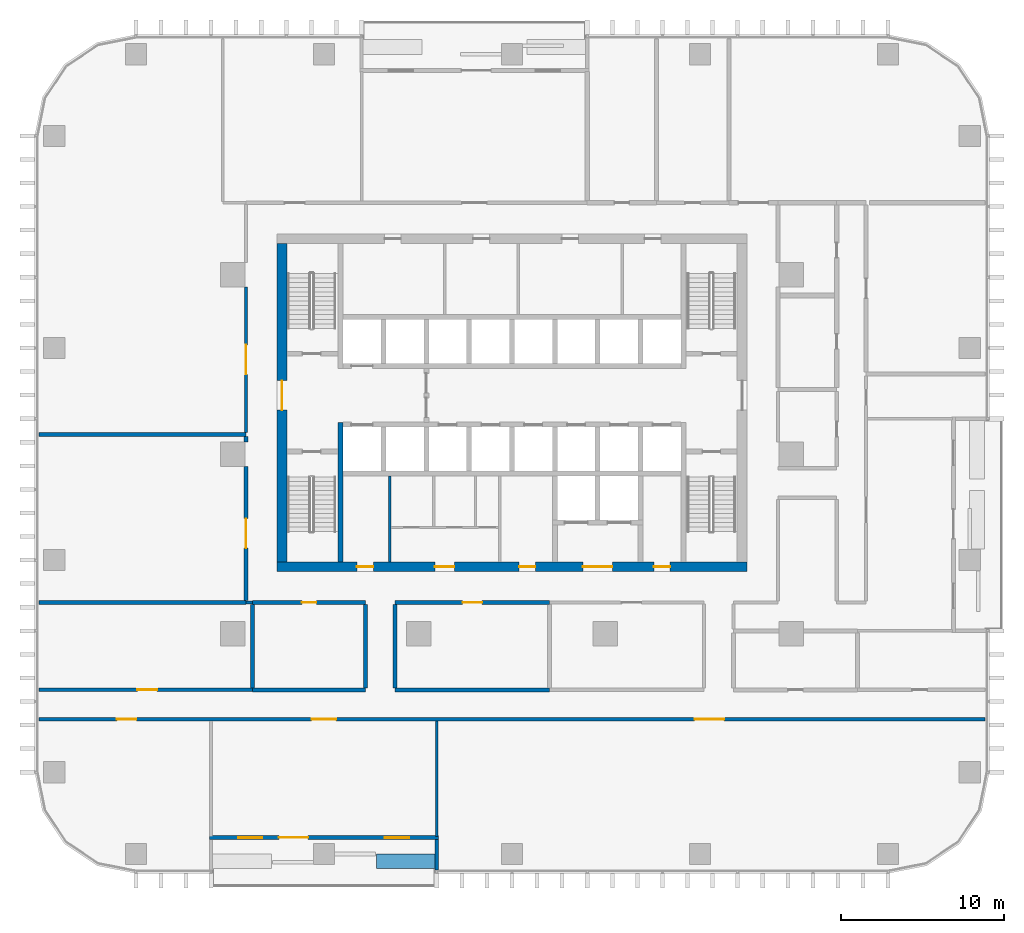
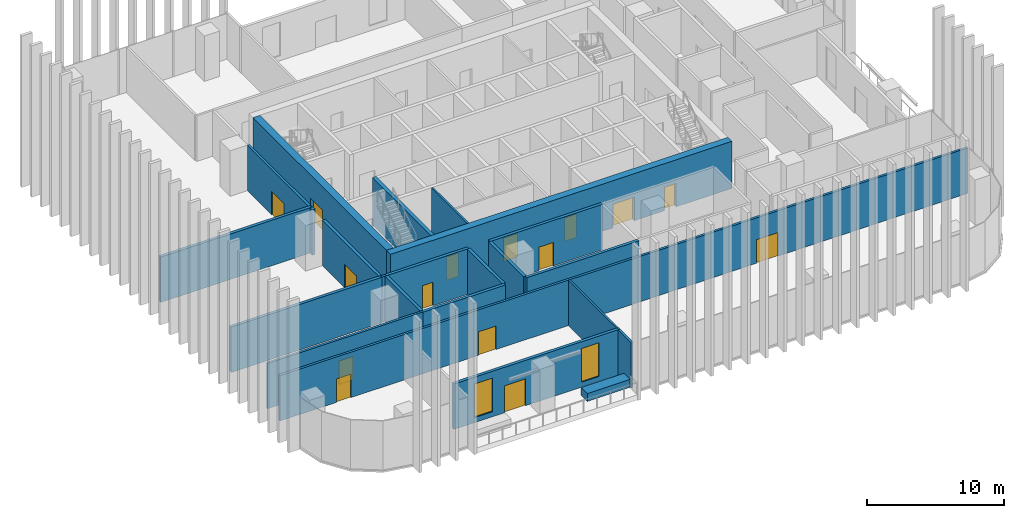
# One storey, part 7 of 17: 23 walls, 15 doors, 2 windows, 17 openings.
"""IFC4 building model written with IfcOpenShell, lengths in metres."""

from ifc_helpers import new_model, si_unit, direction, frame, frame_2d, origin, place, context, subcontext, project, spatial, rectangle, extrude, material, layer, layer_set, type_object, element, fill, save


model = new_model("IFC4")

# Units and contexts
model_context = context("Model", 3, precision=1e-05, world=origin(), true_north=direction((0.0, 1.0)))
body_context = subcontext(model_context, "Body", "Model", "MODEL_VIEW")
ifc_project = project(units=[si_unit("LENGTHUNIT", "METRE"), si_unit("AREAUNIT", "SQUARE_METRE"), si_unit("VOLUMEUNIT", "CUBIC_METRE"), si_unit("PLANEANGLEUNIT", "RADIAN"), si_unit("MASSUNIT", "GRAM", prefix="KILO")], contexts=[model_context])

# Site, building, storey
site_placement = place(None, origin())
site = spatial("IfcSite", under=ifc_project, at=site_placement, CompositionType="ELEMENT")
building_placement = place(site_placement, origin())
building = spatial("IfcBuilding", under=site, at=building_placement, Name="Mopane Tessera Tower", CompositionType="ELEMENT")
storey_placement = place(building_placement, frame((0.0, 0.0, 121.60009765625)))
storey = spatial("IfcBuildingStorey", under=building, at=storey_placement, Name="L24", CompositionType="ELEMENT", Elevation=121.60009765625)

# Wall
ifc_material_1 = material(Name="Fire-rated gypsum board partition")
ifc_layer_1 = layer(ifc_material_1, 0.14990234375)
ifc_layer_set_1 = layer_set([ifc_layer_1], Name="Fire-rated gypsum board partition")
wall_type_1 = type_object("IfcWallType", Name="Core room partition 150 mm", PredefinedType="PARTITIONING", material=ifc_layer_set_1)
wall_1_placement = place(storey_placement, frame((-7.5, -6.60009765625, 0.0), z_axis=(0.0, 0.0, 1.0), x_axis=(0.0, 1.0, 0.0)))
element("IfcWall", 1, at=wall_1_placement, inside=storey, type_object=wall_type_1, Name="L24 Room partition", PredefinedType="PARTITIONING", context=body_context, shape_type="SweptSolid", body=[
    extrude(rectangle(XDim=5.25, YDim=0.14990234375, at=frame_2d((2.625, 0.0))), origin(), (0.0, 0.0, 1.0), 4.199951171875),
])

# Wall, openings, doors
ifc_material_2 = material(Name="Concrete C70/85", Category="concrete")
ifc_layer_2 = layer(ifc_material_2, 0.60009765625)
ifc_layer_set_2 = layer_set([ifc_layer_2], Name="Concrete C70/85")
wall_type_2 = type_object("IfcWallType", Name="Core shear wall 600 mm", PredefinedType="SHEAR", material=ifc_layer_set_2)
wall_2_placement = place(storey_placement, frame((-14.39990234375, -6.89990234375, 0.0), z_axis=(0.0, 0.0, 1.0), x_axis=(1.0, 0.0, 0.0)))
wall_2 = element("IfcWall", 2, at=wall_2_placement, inside=storey, type_object=wall_type_2, Name="L24 Core wall south", PredefinedType="SHEAR", context=body_context, shape_type="SweptSolid", body=[
    extrude(rectangle(XDim=28.7998046875, YDim=0.60009765625, at=frame_2d((14.39990234375, 0.0))), origin(), (0.0, 0.0, 1.0), 4.199951171875),
])
opening_1_placement = place(wall_2_placement, frame((4.89990234375, 0.0, 0.0)))
opening_1 = element("IfcOpeningElement", 3, at=opening_1_placement, cuts=wall_2, Name="Opening RD1", PredefinedType="OPENING", context=body_context, shape_type="SweptSolid", body=[
    extrude(rectangle(XDim=1.0, YDim=2.10009765625, at=frame_2d((0.5, 1.050048828125))), frame((0.0, 0.31201171875, 0.0), z_axis=(0.0, -1.0, 0.0), x_axis=(1.0, 0.0, 0.0)), (0.0, 0.0, 1.0), 0.6240234375),
])
opening_2_placement = place(wall_2_placement, frame((9.675048828125, 0.0, 0.0)))
opening_2 = element("IfcOpeningElement", 4, at=opening_2_placement, cuts=wall_2, Name="Opening WD3", PredefinedType="OPENING", context=body_context, shape_type="SweptSolid", body=[
    extrude(rectangle(XDim=1.199951171875, YDim=2.10009765625, at=frame_2d((0.60009765625, 1.050048828125))), frame((0.0, 0.31201171875, 0.0), z_axis=(0.0, -1.0, 0.0), x_axis=(1.0, 0.0, 0.0)), (0.0, 0.0, 1.0), 0.6240234375),
])
opening_3_placement = place(wall_2_placement, frame((14.83740234375, 0.0, 0.0)))
opening_3 = element("IfcOpeningElement", 5, at=opening_3_placement, cuts=wall_2, Name="Opening RD1", PredefinedType="OPENING", context=body_context, shape_type="SweptSolid", body=[
    extrude(rectangle(XDim=1.0, YDim=2.10009765625, at=frame_2d((0.5, 1.050048828125))), frame((0.0, 0.31201171875, 0.0), z_axis=(0.0, -1.0, 0.0), x_axis=(1.0, 0.0, 0.0)), (0.0, 0.0, 1.0), 0.6240234375),
])
opening_4_placement = place(wall_2_placement, frame((18.75, 0.0, 0.0)))
opening_4 = element("IfcOpeningElement", 6, at=opening_4_placement, cuts=wall_2, Name="Opening SD2", PredefinedType="OPENING", context=body_context, shape_type="SweptSolid", body=[
    extrude(rectangle(XDim=1.800048828125, YDim=2.10009765625, at=frame_2d((0.89990234375, 1.050048828125))), frame((0.0, 0.31201171875, 0.0), z_axis=(0.0, -1.0, 0.0), x_axis=(1.0, 0.0, 0.0)), (0.0, 0.0, 1.0), 0.6240234375),
])
opening_5_placement = place(wall_2_placement, frame((23.08740234375, 0.0, 0.0)))
opening_5 = element("IfcOpeningElement", 7, at=opening_5_placement, cuts=wall_2, Name="Opening RD1", PredefinedType="OPENING", context=body_context, shape_type="SweptSolid", body=[
    extrude(rectangle(XDim=1.0, YDim=2.10009765625, at=frame_2d((0.5, 1.050048828125))), frame((0.0, 0.31201171875, 0.0), z_axis=(0.0, -1.0, 0.0), x_axis=(1.0, 0.0, 0.0)), (0.0, 0.0, 1.0), 0.6240234375),
])
ifc_material_3 = material(Name="Steel fire door", Category="steel")
door_type_1 = type_object("IfcDoorType", Name="Core entrance double door 1800 x 2100", OperationType="DOUBLE_DOOR_SINGLE_SWING", PredefinedType="DOOR", material=ifc_material_3)
door_1_placement = place(opening_4_placement, origin())
door_1 = element("IfcDoor", 8, at=door_1_placement, inside=storey, type_object=door_type_1, Name="L24 Service lobby door", OperationType="DOUBLE_DOOR_SINGLE_SWING", OverallHeight=2.10009765625, OverallWidth=1.800048828125, PredefinedType="DOOR", context=body_context, shape_type="SweptSolid", body=[
    extrude(rectangle(XDim=1.800048828125, YDim=2.10009765625, at=frame_2d((0.89990234375, 1.050048828125))), frame((0.0, 0.02490234375, 0.0), z_axis=(0.0, -1.0, 0.0), x_axis=(1.0, 0.0, 0.0)), (0.0, 0.0, 1.0), 0.050048828125),
])
fill(opening_4, door_1)
ifc_material_4 = material(Name="Timber door", Category="wood")
door_type_2 = type_object("IfcDoorType", Name="Core room door 1000 x 2100", OperationType="SINGLE_SWING_LEFT", PredefinedType="DOOR", material=ifc_material_4)
door_2_placement = place(opening_1_placement, origin())
door_2 = element("IfcDoor", 9, at=door_2_placement, inside=storey, type_object=door_type_2, Name="L24 Room door", OperationType="SINGLE_SWING_LEFT", OverallHeight=2.10009765625, OverallWidth=1.0, PredefinedType="DOOR", context=body_context, shape_type="SweptSolid", body=[
    extrude(rectangle(XDim=1.0, YDim=2.10009765625, at=frame_2d((0.5, 1.050048828125))), frame((0.0, 0.02490234375, 0.0), z_axis=(0.0, -1.0, 0.0), x_axis=(1.0, 0.0, 0.0)), (0.0, 0.0, 1.0), 0.050048828125),
])
fill(opening_1, door_2)
door_3_placement = place(opening_3_placement, origin())
door_3 = element("IfcDoor", 10, at=door_3_placement, inside=storey, type_object=door_type_2, Name="L24 Room door", OperationType="SINGLE_SWING_LEFT", OverallHeight=2.10009765625, OverallWidth=1.0, PredefinedType="DOOR", context=body_context, shape_type="SweptSolid", body=[
    extrude(rectangle(XDim=1.0, YDim=2.10009765625, at=frame_2d((0.5, 1.050048828125))), frame((0.0, 0.02490234375, 0.0), z_axis=(0.0, -1.0, 0.0), x_axis=(1.0, 0.0, 0.0)), (0.0, 0.0, 1.0), 0.050048828125),
])
fill(opening_3, door_3)
door_4_placement = place(opening_5_placement, origin())
door_4 = element("IfcDoor", 11, at=door_4_placement, inside=storey, type_object=door_type_2, Name="L24 Room door", OperationType="SINGLE_SWING_LEFT", OverallHeight=2.10009765625, OverallWidth=1.0, PredefinedType="DOOR", context=body_context, shape_type="SweptSolid", body=[
    extrude(rectangle(XDim=1.0, YDim=2.10009765625, at=frame_2d((0.5, 1.050048828125))), frame((0.0, 0.02490234375, 0.0), z_axis=(0.0, -1.0, 0.0), x_axis=(1.0, 0.0, 0.0)), (0.0, 0.0, 1.0), 0.050048828125),
])
fill(opening_5, door_4)
ifc_material_5 = material(Name="Timber door", Category="wood")
door_type_3 = type_object("IfcDoorType", Name="WC lobby door 1200 x 2100", OperationType="SINGLE_SWING_LEFT", PredefinedType="DOOR", material=ifc_material_5)
door_5_placement = place(opening_2_placement, origin())
door_5 = element("IfcDoor", 12, at=door_5_placement, inside=storey, type_object=door_type_3, Name="L24 WC lobby door", OperationType="SINGLE_SWING_LEFT", OverallHeight=2.10009765625, OverallWidth=1.199951171875, PredefinedType="DOOR", context=body_context, shape_type="SweptSolid", body=[
    extrude(rectangle(XDim=1.199951171875, YDim=2.10009765625, at=frame_2d((0.60009765625, 1.050048828125))), frame((0.0, 0.02490234375, 0.0), z_axis=(0.0, -1.0, 0.0), x_axis=(1.0, 0.0, 0.0)), (0.0, 0.0, 1.0), 0.050048828125),
])
fill(opening_2, door_5)

# Wall, opening, door
wall_3_placement = place(storey_placement, frame((-14.10009765625, -6.60009765625, 0.0), z_axis=(0.0, 0.0, 1.0), x_axis=(0.0, 1.0, 0.0)))
wall_3 = element("IfcWall", 13, at=wall_3_placement, inside=storey, type_object=wall_type_2, Name="L24 Core wall west", PredefinedType="SHEAR", context=body_context, shape_type="SweptSolid", body=[
    extrude(rectangle(XDim=19.5, YDim=0.60009765625, at=frame_2d((9.75, 0.0))), origin(), (0.0, 0.0, 1.0), 4.199951171875),
])
opening_6_placement = place(wall_3_placement, frame((9.300048828125, 0.0, 0.0)))
opening_6 = element("IfcOpeningElement", 14, at=opening_6_placement, cuts=wall_3, Name="Opening SD2", PredefinedType="OPENING", context=body_context, shape_type="SweptSolid", body=[
    extrude(rectangle(XDim=1.800048828125, YDim=2.10009765625, at=frame_2d((0.89990234375, 1.050048828125))), frame((0.0, 0.31201171875, 0.0), z_axis=(0.0, -1.0, 0.0), x_axis=(1.0, 0.0, 0.0)), (0.0, 0.0, 1.0), 0.6240234375),
])
door_6_placement = place(opening_6_placement, origin())
door_6 = element("IfcDoor", 15, at=door_6_placement, inside=storey, type_object=door_type_1, Name="L24 Core entrance door west", OperationType="DOUBLE_DOOR_SINGLE_SWING", OverallHeight=2.10009765625, OverallWidth=1.800048828125, PredefinedType="DOOR", context=body_context, shape_type="SweptSolid", body=[
    extrude(rectangle(XDim=1.800048828125, YDim=2.10009765625, at=frame_2d((0.89990234375, 1.050048828125))), frame((0.0, 0.02490234375, 0.0), z_axis=(0.0, -1.0, 0.0), x_axis=(1.0, 0.0, 0.0)), (0.0, 0.0, 1.0), 0.050048828125),
])
fill(opening_6, door_6)

# Wall
ifc_material_6 = material(Name="Concrete C60/75", Category="concrete")
ifc_layer_3 = layer(ifc_material_6, 0.300048828125)
ifc_layer_set_3 = layer_set([ifc_layer_3], Name="Concrete C60/75")
wall_type_3 = type_object("IfcWallType", Name="Core spine wall 300 mm", PredefinedType="SHEAR", material=ifc_layer_set_3)
wall_4_placement = place(storey_placement, frame((-10.5, -6.60009765625, 0.0), z_axis=(0.0, 0.0, 1.0), x_axis=(0.0, 1.0, 0.0)))
element("IfcWall", 16, at=wall_4_placement, inside=storey, type_object=wall_type_3, Name="L24 Core spine wall", PredefinedType="SHEAR", context=body_context, shape_type="SweptSolid", body=[
    extrude(rectangle(XDim=8.550048828125, YDim=0.300048828125, at=frame_2d((4.27490234375, 0.0))), origin(), (0.0, 0.0, 1.0), 4.199951171875),
])

# Wall, openings, doors
ifc_material_7 = material(Name="Gypsum board on steel studs, two layers each face, mineral wool infill", Category="steel")
ifc_layer_4 = layer(ifc_material_7, 0.199951171875)
ifc_layer_set_4 = layer_set([ifc_layer_4], Name="Gypsum board on steel studs, two layers each face, mineral wool infill")
wall_type_4 = type_object("IfcWallType", Name="Gypsum board corridor wall 200, rated EI 60", PredefinedType="PARTITIONING", material=ifc_layer_set_4)
wall_5_placement = place(storey_placement, frame((-29.0, -16.25, 0.0), z_axis=(0.0, 0.0, 1.0), x_axis=(1.0, 0.0, 0.0)))
wall_5 = element("IfcWall", 17, at=wall_5_placement, inside=storey, type_object=wall_type_4, Name="Partition L24:000", PredefinedType="PARTITIONING", context=body_context, shape_type="SweptSolid", body=[
    extrude(rectangle(XDim=58.0, YDim=0.199951171875, at=frame_2d((29.0, 0.0))), origin(), (0.0, 0.0, 1.0), 4.0498046875),
])
opening_7_placement = place(wall_5_placement, frame((16.72509765625, 0.0, 0.0)))
opening_7 = element("IfcOpeningElement", 18, at=opening_7_placement, cuts=wall_5, Name="Opening L24-02", PredefinedType="OPENING", context=body_context, shape_type="SweptSolid", body=[
    extrude(rectangle(XDim=1.5, YDim=2.10009765625, at=frame_2d((0.75, 1.050048828125))), frame((0.0, 0.112060546875, 0.0), z_axis=(0.0, -1.0, 0.0), x_axis=(1.0, 0.0, 0.0)), (0.0, 0.0, 1.0), 0.223876953125),
])
opening_8_placement = place(wall_5_placement, frame((4.780029296875, 0.0, 0.0)))
opening_8 = element("IfcOpeningElement", 19, at=opening_8_placement, cuts=wall_5, Name="Opening L24-05", PredefinedType="OPENING", context=body_context, shape_type="SweptSolid", body=[
    extrude(rectangle(XDim=1.199951171875, YDim=2.10009765625, at=frame_2d((0.60009765625, 1.050048828125))), frame((0.0, 0.112060546875, 0.0), z_axis=(0.0, -1.0, 0.0), x_axis=(1.0, 0.0, 0.0)), (0.0, 0.0, 1.0), 0.223876953125),
])
opening_9_placement = place(wall_5_placement, frame((40.195068359375, 0.0, 0.0)))
opening_9 = element("IfcOpeningElement", 20, at=opening_9_placement, cuts=wall_5, Name="Opening L24-10", PredefinedType="OPENING", context=body_context, shape_type="SweptSolid", body=[
    extrude(rectangle(XDim=1.800048828125, YDim=2.10009765625, at=frame_2d((0.89990234375, 1.050048828125))), frame((0.0, 0.112060546875, 0.0), z_axis=(0.0, -1.0, 0.0), x_axis=(1.0, 0.0, 0.0)), (0.0, 0.0, 1.0), 0.223876953125),
])
ifc_material_8 = material(Name="Timber veneered steel-framed fire door", Category="steel")
door_type_4 = type_object("IfcDoorType", Name="Fire door FD60 1200 x 2100", OperationType="SINGLE_SWING_LEFT", PredefinedType="DOOR", material=ifc_material_8)
door_7_placement = place(opening_8_placement, origin())
door_7 = element("IfcDoor", 21, at=door_7_placement, inside=storey, type_object=door_type_4, Name="Door L24-05", ObjectType="D15A", OperationType="SINGLE_SWING_LEFT", OverallHeight=2.10009765625, OverallWidth=1.199951171875, PredefinedType="DOOR", context=body_context, shape_type="SweptSolid", body=[
    extrude(rectangle(XDim=1.199951171875, YDim=2.10009765625, at=frame_2d((0.60009765625, 1.050048828125))), frame((0.0, 0.02490234375, 0.0), z_axis=(0.0, -1.0, 0.0), x_axis=(1.0, 0.0, 0.0)), (0.0, 0.0, 1.0), 0.050048828125),
])
fill(opening_8, door_7)
ifc_material_9 = material(Name="Timber veneered steel-framed fire door", Category="steel")
door_type_5 = type_object("IfcDoorType", Name="Fire door pair FD60 1500 x 2100", OperationType="DOUBLE_DOOR_SINGLE_SWING", PredefinedType="DOOR", material=ifc_material_9)
door_8_placement = place(opening_7_placement, origin())
door_8 = element("IfcDoor", 22, at=door_8_placement, inside=storey, type_object=door_type_5, Name="Door L24-02", ObjectType="D17A", OperationType="DOUBLE_DOOR_SINGLE_SWING", OverallHeight=2.10009765625, OverallWidth=1.5, PredefinedType="DOOR", context=body_context, shape_type="SweptSolid", body=[
    extrude(rectangle(XDim=1.5, YDim=2.10009765625, at=frame_2d((0.75, 1.050048828125))), frame((0.0, 0.02490234375, 0.0), z_axis=(0.0, -1.0, 0.0), x_axis=(1.0, 0.0, 0.0)), (0.0, 0.0, 1.0), 0.050048828125),
])
fill(opening_7, door_8)
ifc_material_10 = material(Name="Timber veneered steel-framed fire door", Category="steel")
door_type_6 = type_object("IfcDoorType", Name="Fire door pair FD60 1800 x 2100", OperationType="DOUBLE_DOOR_SINGLE_SWING", PredefinedType="DOOR", material=ifc_material_10)
door_9_placement = place(opening_9_placement, origin())
door_9 = element("IfcDoor", 23, at=door_9_placement, inside=storey, type_object=door_type_6, Name="Door L24-10", ObjectType="D20A", OperationType="DOUBLE_DOOR_SINGLE_SWING", OverallHeight=2.10009765625, OverallWidth=1.800048828125, PredefinedType="DOOR", context=body_context, shape_type="SweptSolid", body=[
    extrude(rectangle(XDim=1.800048828125, YDim=2.10009765625, at=frame_2d((0.89990234375, 1.050048828125))), frame((0.0, 0.02490234375, 0.0), z_axis=(0.0, -1.0, 0.0), x_axis=(1.0, 0.0, 0.0)), (0.0, 0.0, 1.0), 0.050048828125),
])
fill(opening_9, door_9)

# Wall, opening, door
wall_6_placement = place(storey_placement, frame((-29.0, -14.449951171875, 0.0), z_axis=(0.0, 0.0, 1.0), x_axis=(1.0, 0.0, 0.0)))
wall_6 = element("IfcWall", 24, at=wall_6_placement, inside=storey, type_object=wall_type_4, Name="Partition L24:001", PredefinedType="PARTITIONING", context=body_context, shape_type="SweptSolid", body=[
    extrude(rectangle(XDim=13.10009765625, YDim=0.199951171875, at=frame_2d((6.550048828125, 0.0))), origin(), (0.0, 0.0, 1.0), 4.0498046875),
])
opening_10_placement = place(wall_6_placement, frame((6.050048828125, 0.0, 0.0)))
opening_10 = element("IfcOpeningElement", 25, at=opening_10_placement, cuts=wall_6, Name="Opening L24-14", PredefinedType="OPENING", context=body_context, shape_type="SweptSolid", body=[
    extrude(rectangle(XDim=1.199951171875, YDim=2.10009765625, at=frame_2d((0.60009765625, 1.050048828125))), frame((0.0, 0.112060546875, 0.0), z_axis=(0.0, -1.0, 0.0), x_axis=(1.0, 0.0, 0.0)), (0.0, 0.0, 1.0), 0.223876953125),
])
door_10_placement = place(opening_10_placement, origin())
door_10 = element("IfcDoor", 26, at=door_10_placement, inside=storey, type_object=door_type_4, Name="Door L24-14", ObjectType="D15A", OperationType="SINGLE_SWING_LEFT", OverallHeight=2.10009765625, OverallWidth=1.199951171875, PredefinedType="DOOR", context=body_context, shape_type="SweptSolid", body=[
    extrude(rectangle(XDim=1.199951171875, YDim=2.10009765625, at=frame_2d((0.60009765625, 1.050048828125))), frame((0.0, 0.02490234375, 0.0), z_axis=(0.0, -1.0, 0.0), x_axis=(1.0, 0.0, 0.0)), (0.0, 0.0, 1.0), 0.050048828125),
])
fill(opening_10, door_10)

# Wall
wall_7_placement = place(storey_placement, frame((-16.300048828125, -9.10009765625, 0.0), z_axis=(0.0, 0.0, 1.0), x_axis=(1.0, 0.0, 0.0)))
element("IfcWall", 27, at=wall_7_placement, inside=storey, type_object=wall_type_4, Name="Partition L24:010", PredefinedType="PARTITIONING", context=body_context, shape_type="SweptSolid", body=[
    extrude(rectangle(XDim=0.400146484375, YDim=0.199951171875, at=frame_2d((0.2001953125, 0.0))), origin(), (0.0, 0.0, 1.0), 4.0498046875),
])

# Wall, opening, door
wall_8_placement = place(storey_placement, frame((-16.300048828125, 1.324951171875, 0.0), z_axis=(0.0, 0.0, 1.0), x_axis=(0.0, 1.0, 0.0)))
wall_8 = element("IfcWall", 28, at=wall_8_placement, inside=storey, type_object=wall_type_4, Name="Partition L24:034", PredefinedType="PARTITIONING", context=body_context, shape_type="SweptSolid", body=[
    extrude(rectangle(XDim=8.925048828125, YDim=0.199951171875, at=frame_2d((4.46240234375, 0.0))), origin(), (0.0, 0.0, 1.0), 4.0498046875),
])
opening_11_placement = place(wall_8_placement, frame((3.5625, 0.0, 0.0)))
opening_11 = element("IfcOpeningElement", 29, at=opening_11_placement, cuts=wall_8, Name="Opening L24-06", PredefinedType="OPENING", context=body_context, shape_type="SweptSolid", body=[
    extrude(rectangle(XDim=1.800048828125, YDim=2.10009765625, at=frame_2d((0.89990234375, 1.050048828125))), frame((0.0, 0.112060546875, 0.0), z_axis=(0.0, -1.0, 0.0), x_axis=(1.0, 0.0, 0.0)), (0.0, 0.0, 1.0), 0.223876953125),
])
door_11_placement = place(opening_11_placement, origin())
door_11 = element("IfcDoor", 30, at=door_11_placement, inside=storey, type_object=door_type_6, Name="Door L24-06", ObjectType="D20A", OperationType="DOUBLE_DOOR_SINGLE_SWING", OverallHeight=2.10009765625, OverallWidth=1.800048828125, PredefinedType="DOOR", context=body_context, shape_type="SweptSolid", body=[
    extrude(rectangle(XDim=1.800048828125, YDim=2.10009765625, at=frame_2d((0.89990234375, 1.050048828125))), frame((0.0, 0.02490234375, 0.0), z_axis=(0.0, -1.0, 0.0), x_axis=(1.0, 0.0, 0.0)), (0.0, 0.0, 1.0), 0.050048828125),
])
fill(opening_11, door_11)

# Walls
ifc_material_11 = material(Name="Gypsum board on steel studs, mineral wool infill", Category="steel")
ifc_layer_5 = layer(ifc_material_11, 0.14990234375)
ifc_layer_set_5 = layer_set([ifc_layer_5], Name="Gypsum board on steel studs, mineral wool infill")
wall_type_5 = type_object("IfcWallType", Name="Gypsum board partition 150, rated EI 60", PredefinedType="PARTITIONING", material=ifc_layer_set_5)
wall_9_placement = place(storey_placement, frame((-4.610107421875, -23.449951171875, 0.0), z_axis=(0.0, 0.0, 1.0), x_axis=(0.0, 1.0, 0.0)))
element("IfcWall", 31, at=wall_9_placement, inside=storey, type_object=wall_type_5, Name="Partition L24:042", PredefinedType="PARTITIONING", context=body_context, shape_type="SweptSolid", body=[
    extrude(rectangle(XDim=7.099853515625, YDim=0.14990234375, at=frame_2d((3.5498046875, 0.0))), origin(), (0.0, 0.0, 1.0), 4.0498046875),
])
ifc_material_12 = material(Name="Reinforced concrete C32/40 with waterproofing", Category="concrete")
ifc_layer_6 = layer(ifc_material_12, 0.89990234375)
ifc_layer_set_6 = layer_set([ifc_layer_6], Name="Reinforced concrete C32/40 with waterproofing")
wall_type_6 = type_object("IfcWallType", Name="Planter trough 3600 x 900", PredefinedType="STANDARD", material=ifc_layer_set_6)
wall_10_placement = place(storey_placement, frame((-8.31005859375, -24.949951171875, 0.0), z_axis=(0.0, 0.0, 1.0), x_axis=(1.0, 0.0, 0.0)))
element("IfcWall", 32, at=wall_10_placement, inside=storey, type_object=wall_type_6, Name="e:nw:L24:N2:pl1", PredefinedType="STANDARD", context=body_context, shape_type="SweptSolid", body=[
    extrude(rectangle(XDim=3.60009765625, YDim=0.89990234375, at=frame_2d((1.800048828125, 0.0))), origin(), (0.0, 0.0, 1.0), 0.699951171875),
])
ifc_material_13 = material(Name="Plastered concrete blockwork C20/25", Category="masonry")
ifc_layer_7 = layer(ifc_material_13, 0.25)
ifc_layer_set_7 = layer_set([ifc_layer_7], Name="Plastered concrete blockwork C20/25")
wall_type_7 = type_object("IfcWallType", Name="Plastered blockwork wall 250, rated EI 120", PredefinedType="PARTITIONING", material=ifc_layer_set_7)
wall_11_placement = place(storey_placement, frame((-15.89990234375, -14.449951171875, 0.0), z_axis=(0.0, 0.0, 1.0), x_axis=(1.0, 0.0, 0.0)))
element("IfcWall", 33, at=wall_11_placement, inside=storey, type_object=wall_type_7, Name="Partition L24:004", PredefinedType="PARTITIONING", context=body_context, shape_type="SweptSolid", body=[
    extrude(rectangle(XDim=6.934814453125, YDim=0.25, at=frame_2d((3.46728515625, 0.0))), origin(), (0.0, 0.0, 1.0), 4.0498046875),
])
wall_12_placement = place(storey_placement, frame((-7.1650390625, -14.449951171875, 0.0), z_axis=(0.0, 0.0, 1.0), x_axis=(1.0, 0.0, 0.0)))
element("IfcWall", 34, at=wall_12_placement, inside=storey, type_object=wall_type_7, Name="Partition L24:005", PredefinedType="PARTITIONING", context=body_context, shape_type="SweptSolid", body=[
    extrude(rectangle(XDim=9.465087890625, YDim=0.25, at=frame_2d((4.732421875, 0.0))), origin(), (0.0, 0.0, 1.0), 4.0498046875),
])
wall_13_placement = place(storey_placement, frame((-29.0, -9.10009765625, 0.0), z_axis=(0.0, 0.0, 1.0), x_axis=(1.0, 0.0, 0.0)))
element("IfcWall", 35, at=wall_13_placement, inside=storey, type_object=wall_type_7, Name="Partition L24:014", PredefinedType="PARTITIONING", context=body_context, shape_type="SweptSolid", body=[
    extrude(rectangle(XDim=12.699951171875, YDim=0.25, at=frame_2d((6.35009765625, 0.0))), origin(), (0.0, 0.0, 1.0), 4.0498046875),
])

# Wall, opening, door
wall_14_placement = place(storey_placement, frame((-15.89990234375, -9.10009765625, 0.0), z_axis=(0.0, 0.0, 1.0), x_axis=(1.0, 0.0, 0.0)))
wall_14 = element("IfcWall", 36, at=wall_14_placement, inside=storey, type_object=wall_type_7, Name="Partition L24:015", PredefinedType="PARTITIONING", context=body_context, shape_type="SweptSolid", body=[
    extrude(rectangle(XDim=6.934814453125, YDim=0.25, at=frame_2d((3.46728515625, 0.0))), origin(), (0.0, 0.0, 1.0), 4.0498046875),
])
opening_12_placement = place(wall_14_placement, frame((3.017578125, 0.0, 0.0)))
opening_12 = element("IfcOpeningElement", 37, at=opening_12_placement, cuts=wall_14, Name="Opening L24-19", PredefinedType="OPENING", context=body_context, shape_type="SweptSolid", body=[
    extrude(rectangle(XDim=0.89990234375, YDim=2.10009765625, at=frame_2d((0.449951171875, 1.050048828125))), frame((0.0, 0.136962890625, 0.0), z_axis=(0.0, -1.0, 0.0), x_axis=(1.0, 0.0, 0.0)), (0.0, 0.0, 1.0), 0.27392578125),
])
ifc_material_14 = material(Name="Timber veneered steel-framed fire door", Category="steel")
door_type_7 = type_object("IfcDoorType", Name="Fire door FD120 900 x 2100", OperationType="SINGLE_SWING_LEFT", PredefinedType="DOOR", material=ifc_material_14)
door_12_placement = place(opening_12_placement, origin())
door_12 = element("IfcDoor", 38, at=door_12_placement, inside=storey, type_object=door_type_7, Name="Door L24-19", ObjectType="D10B", OperationType="SINGLE_SWING_RIGHT", OverallHeight=2.10009765625, OverallWidth=0.89990234375, PredefinedType="DOOR", context=body_context, shape_type="SweptSolid", body=[
    extrude(rectangle(XDim=0.89990234375, YDim=2.10009765625, at=frame_2d((0.449951171875, 1.050048828125))), frame((0.0, 0.02490234375, 0.0), z_axis=(0.0, -1.0, 0.0), x_axis=(1.0, 0.0, 0.0)), (0.0, 0.0, 1.0), 0.050048828125),
])
fill(opening_12, door_12)

wall_15_placement = place(storey_placement, frame((-7.1650390625, -9.10009765625, 0.0), z_axis=(0.0, 0.0, 1.0), x_axis=(1.0, 0.0, 0.0)))
wall_15 = element("IfcWall", 39, at=wall_15_placement, inside=storey, type_object=wall_type_7, Name="Partition L24:016", PredefinedType="PARTITIONING", context=body_context, shape_type="SweptSolid", body=[
    extrude(rectangle(XDim=9.465087890625, YDim=0.25, at=frame_2d((4.732421875, 0.0))), origin(), (0.0, 0.0, 1.0), 4.0498046875),
])
opening_13_placement = place(wall_15_placement, frame((4.132568359375, 0.0, 0.0)))
opening_13 = element("IfcOpeningElement", 40, at=opening_13_placement, cuts=wall_15, Name="Opening L24-11", PredefinedType="OPENING", context=body_context, shape_type="SweptSolid", body=[
    extrude(rectangle(XDim=1.199951171875, YDim=2.10009765625, at=frame_2d((0.60009765625, 1.050048828125))), frame((0.0, 0.136962890625, 0.0), z_axis=(0.0, -1.0, 0.0), x_axis=(1.0, 0.0, 0.0)), (0.0, 0.0, 1.0), 0.27392578125),
])
ifc_material_15 = material(Name="Timber veneered steel-framed fire door", Category="steel")
door_type_8 = type_object("IfcDoorType", Name="Fire door FD120 1200 x 2100", OperationType="SINGLE_SWING_LEFT", PredefinedType="DOOR", material=ifc_material_15)
door_13_placement = place(opening_13_placement, origin())
door_13 = element("IfcDoor", 41, at=door_13_placement, inside=storey, type_object=door_type_8, Name="Door L24-11", ObjectType="D15B", OperationType="SINGLE_SWING_RIGHT", OverallHeight=2.10009765625, OverallWidth=1.199951171875, PredefinedType="DOOR", context=body_context, shape_type="SweptSolid", body=[
    extrude(rectangle(XDim=1.199951171875, YDim=2.10009765625, at=frame_2d((0.60009765625, 1.050048828125))), frame((0.0, 0.02490234375, 0.0), z_axis=(0.0, -1.0, 0.0), x_axis=(1.0, 0.0, 0.0)), (0.0, 0.0, 1.0), 0.050048828125),
])
fill(opening_13, door_13)

# Wall
wall_16_placement = place(storey_placement, frame((-29.0, 1.199951171875, 0.0), z_axis=(0.0, 0.0, 1.0), x_axis=(1.0, 0.0, 0.0)))
element("IfcWall", 42, at=wall_16_placement, inside=storey, type_object=wall_type_7, Name="Partition L24:019", PredefinedType="PARTITIONING", context=body_context, shape_type="SweptSolid", body=[
    extrude(rectangle(XDim=12.699951171875, YDim=0.25, at=frame_2d((6.35009765625, 0.0))), origin(), (0.0, 0.0, 1.0), 4.0498046875),
])

# Wall, opening, door
wall_17_placement = place(storey_placement, frame((-16.300048828125, -8.97509765625, 0.0), z_axis=(0.0, 0.0, 1.0), x_axis=(0.0, 1.0, 0.0)))
wall_17 = element("IfcWall", 43, at=wall_17_placement, inside=storey, type_object=wall_type_7, Name="Partition L24:036", PredefinedType="PARTITIONING", context=body_context, shape_type="SweptSolid", body=[
    extrude(rectangle(XDim=8.22509765625, YDim=0.25, at=frame_2d((4.112548828125, 0.0))), origin(), (0.0, 0.0, 1.0), 4.0498046875),
])
opening_14_placement = place(wall_17_placement, frame((3.21240234375, 0.0, 0.0)))
opening_14 = element("IfcOpeningElement", 44, at=opening_14_placement, cuts=wall_17, Name="Opening L24-07", PredefinedType="OPENING", context=body_context, shape_type="SweptSolid", body=[
    extrude(rectangle(XDim=1.800048828125, YDim=2.10009765625, at=frame_2d((0.89990234375, 1.050048828125))), frame((0.0, 0.136962890625, 0.0), z_axis=(0.0, -1.0, 0.0), x_axis=(1.0, 0.0, 0.0)), (0.0, 0.0, 1.0), 0.27392578125),
])
ifc_material_16 = material(Name="Timber veneered steel-framed fire door", Category="steel")
door_type_9 = type_object("IfcDoorType", Name="Fire door pair FD120 1800 x 2100", OperationType="DOUBLE_DOOR_SINGLE_SWING", PredefinedType="DOOR", material=ifc_material_16)
door_14_placement = place(opening_14_placement, origin())
door_14 = element("IfcDoor", 45, at=door_14_placement, inside=storey, type_object=door_type_9, Name="Door L24-07", ObjectType="D20B", OperationType="DOUBLE_DOOR_SINGLE_SWING", OverallHeight=2.10009765625, OverallWidth=1.800048828125, PredefinedType="DOOR", context=body_context, shape_type="SweptSolid", body=[
    extrude(rectangle(XDim=1.800048828125, YDim=2.10009765625, at=frame_2d((0.89990234375, 1.050048828125))), frame((0.0, 0.02490234375, 0.0), z_axis=(0.0, -1.0, 0.0), x_axis=(1.0, 0.0, 0.0)), (0.0, 0.0, 1.0), 0.050048828125),
])
fill(opening_14, door_14)

# Walls
wall_18_placement = place(storey_placement, frame((-16.300048828125, 0.75, 0.0), z_axis=(0.0, 0.0, 1.0), x_axis=(0.0, 1.0, 0.0)))
element("IfcWall", 46, at=wall_18_placement, inside=storey, type_object=wall_type_7, Name="Partition L24:037", PredefinedType="PARTITIONING", context=body_context, shape_type="SweptSolid", body=[
    extrude(rectangle(XDim=0.324951171875, YDim=0.25, at=frame_2d((0.16259765625, 0.0))), origin(), (0.0, 0.0, 1.0), 4.0498046875),
])
for number, where, z_axis, x_axis, name in (
    (47, (-15.89990234375, -14.324951171875, 0.0), (0.0, 0.0, 1.0), (0.0, 1.0, 0.0), "Partition L24:038"),
    (48, (-8.965087890625, -14.324951171875, 0.0), (0.0, 0.0, 1.0), (0.0, 1.0, 0.0), "Partition L24:040"),
    (49, (-7.1650390625, -14.324951171875, 0.0), (0.0, 0.0, 1.0), (0.0, 1.0, 0.0), "Partition L24:041"),
):
    element("IfcWall", number, at=place(storey_placement, frame(where, z_axis=z_axis, x_axis=x_axis)), inside=storey, type_object=wall_type_7, Name=name, PredefinedType="PARTITIONING", context=body_context, shape_type="SweptSolid", body=[
        extrude(rectangle(XDim=5.099853515625, YDim=0.25, at=frame_2d((2.5498046875, 0.0))), origin(), (0.0, 0.0, 1.0), 4.0498046875),
    ])
ifc_material_17 = material(Name="Blockwork with glazed tile facing", Category="masonry")
ifc_layer_8 = layer(ifc_material_17, 0.199951171875)
ifc_layer_set_8 = layer_set([ifc_layer_8], Name="Blockwork with glazed tile facing")
wall_type_8 = type_object("IfcWallType", Name="Terrace cheek wall 200", PredefinedType="STANDARD", material=ifc_layer_set_8)
wall_19_placement = place(storey_placement, frame((-4.610107421875, -25.5, 0.0), z_axis=(0.0, 0.0, 1.0), x_axis=(0.0, 1.0, 0.0)))
element("IfcWall", 50, at=wall_19_placement, inside=storey, type_object=wall_type_8, Name="e:nw:L24:N2:cheekb", PredefinedType="STANDARD", context=body_context, shape_type="SweptSolid", body=[
    extrude(rectangle(XDim=1.875, YDim=0.199951171875, at=frame_2d((0.9375, 0.0))), origin(), (0.0, 0.0, 1.0), 4.0498046875),
])

# Wall, openings, windows, door
ifc_material_18 = material(Name="Blockwork with ultramarine glazed tile facing", Category="masonry")
ifc_layer_9 = layer(ifc_material_18, 0.25)
ifc_layer_set_9 = layer_set([ifc_layer_9], Name="Blockwork with ultramarine glazed tile facing")
wall_type_9 = type_object("IfcWallType", Name="Tile-clad external wall 250, ultramarine", PredefinedType="STANDARD", material=ifc_layer_set_9)
wall_20_placement = place(storey_placement, frame((-18.5400390625, -23.5, 0.0), z_axis=(0.0, 0.0, 1.0), x_axis=(1.0, 0.0, 0.0)))
wall_20 = element("IfcWall", 51, at=wall_20_placement, inside=storey, type_object=wall_type_9, Name="e:nw:L24:N2:back", PredefinedType="STANDARD", context=body_context, shape_type="SweptSolid", body=[
    extrude(rectangle(XDim=14.030029296875, YDim=0.25, at=frame_2d((7.01513671875, 0.0))), origin(), (0.0, 0.0, 1.0), 4.0498046875),
])
opening_15_placement = place(wall_20_placement, frame((1.75, 0.0, 0.449951171875)))
opening_15 = element("IfcOpeningElement", 52, at=opening_15_placement, cuts=wall_20, Name="Opening NW242A", PredefinedType="OPENING", context=body_context, shape_type="SweptSolid", body=[
    extrude(rectangle(XDim=1.5, YDim=3.0, at=frame_2d((0.75, 1.5))), frame((0.0, 0.136962890625, 0.0), z_axis=(0.0, -1.0, 0.0), x_axis=(1.0, 0.0, 0.0)), (0.0, 0.0, 1.0), 0.27392578125),
])
opening_16_placement = place(wall_20_placement, frame((4.25, 0.0, 0.0)))
opening_16 = element("IfcOpeningElement", 53, at=opening_16_placement, cuts=wall_20, Name="Opening ND242", PredefinedType="OPENING", context=body_context, shape_type="SweptSolid", body=[
    extrude(rectangle(XDim=1.800048828125, YDim=2.39990234375, at=frame_2d((0.89990234375, 1.199951171875))), frame((0.0, 0.136962890625, 0.0), z_axis=(0.0, -1.0, 0.0), x_axis=(1.0, 0.0, 0.0)), (0.0, 0.0, 1.0), 0.27392578125),
])
opening_17_placement = place(wall_20_placement, frame((10.75, 0.0, 0.449951171875)))
opening_17 = element("IfcOpeningElement", 54, at=opening_17_placement, cuts=wall_20, Name="Opening NW242B", PredefinedType="OPENING", context=body_context, shape_type="SweptSolid", body=[
    extrude(rectangle(XDim=1.5, YDim=3.0, at=frame_2d((0.75, 1.5))), frame((0.0, 0.136962890625, 0.0), z_axis=(0.0, -1.0, 0.0), x_axis=(1.0, 0.0, 0.0)), (0.0, 0.0, 1.0), 0.27392578125),
])
ifc_material_19 = material(Name="Clear laminated glass", Category="glass")
window_type = type_object("IfcWindowType", Name="Fixed window 1500 x 3000", PartitioningType="SINGLE_PANEL", PredefinedType="WINDOW", material=ifc_material_19)
window_1_placement = place(opening_15_placement, origin())
window_1 = element("IfcWindow", 55, at=window_1_placement, inside=storey, type_object=window_type, Name="e:nw:L24:N2:win0", OverallHeight=3.0, OverallWidth=1.5, PartitioningType="SINGLE_PANEL", PredefinedType="WINDOW", context=body_context, shape_type="SweptSolid", body=[
    extrude(rectangle(XDim=1.5, YDim=3.0, at=frame_2d((0.75, 1.5))), frame((0.0, 0.030029296875, 0.0), z_axis=(0.0, -1.0, 0.0), x_axis=(1.0, 0.0, 0.0)), (0.0, 0.0, 1.0), 0.06005859375),
])
fill(opening_15, window_1)
window_2_placement = place(opening_17_placement, origin())
window_2 = element("IfcWindow", 56, at=window_2_placement, inside=storey, type_object=window_type, Name="e:nw:L24:N2:win2", OverallHeight=3.0, OverallWidth=1.5, PartitioningType="SINGLE_PANEL", PredefinedType="WINDOW", context=body_context, shape_type="SweptSolid", body=[
    extrude(rectangle(XDim=1.5, YDim=3.0, at=frame_2d((0.75, 1.5))), frame((0.0, 0.030029296875, 0.0), z_axis=(0.0, -1.0, 0.0), x_axis=(1.0, 0.0, 0.0)), (0.0, 0.0, 1.0), 0.06005859375),
])
fill(opening_17, window_2)
ifc_material_20 = material(Name="Aluminium and clear glass", Category="aluminium")
door_type_10 = type_object("IfcDoorType", Name="Terrace double door 1800 x 2400", OperationType="DOUBLE_DOOR_SINGLE_SWING", PredefinedType="DOOR", material=ifc_material_20)
door_15_placement = place(opening_16_placement, origin())
door_15 = element("IfcDoor", 57, at=door_15_placement, inside=storey, type_object=door_type_10, Name="e:nw:L24:N2:door", ObjectType="D1", OperationType="DOUBLE_DOOR_SINGLE_SWING", OverallHeight=2.39990234375, OverallWidth=1.800048828125, PredefinedType="DOOR", context=body_context, shape_type="SweptSolid", body=[
    extrude(rectangle(XDim=1.800048828125, YDim=2.39990234375, at=frame_2d((0.89990234375, 1.199951171875))), frame((0.0, 0.02490234375, 0.0), z_axis=(0.0, -1.0, 0.0), x_axis=(1.0, 0.0, 0.0)), (0.0, 0.0, 1.0), 0.050048828125),
])
fill(opening_16, door_15)

save(model, "model.ifc")
